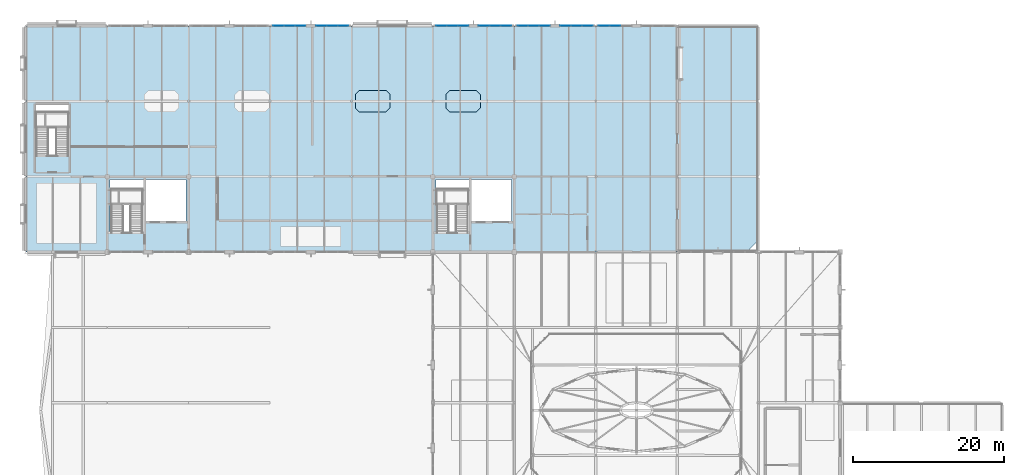
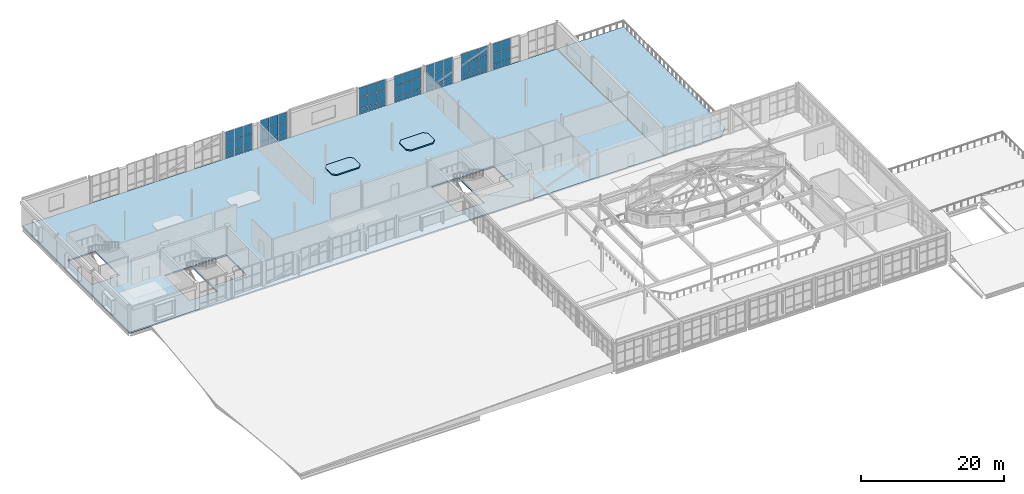
# One storey, part 64 of 86: 60 plates, 4 slabs, 7 elements without a shape of their own.
"""IFC4 building model written with IfcOpenShell, lengths in metres."""

from ifc_helpers import new_model, si_unit, direction, frame, origin, origin_2d, place, context, subcontext, project, spatial, polyline, rectangle, outline, extrude, material, layer, layer_set, type_object, element, aggregate, save


model = new_model("IFC4")

# Units and contexts
model_context = context("Model", 3, precision=1e-05, world=origin(), true_north=direction((0.0, 1.0)))
body_context = subcontext(model_context, "Body", "Model", "MODEL_VIEW")
ifc_project = project(units=[si_unit("LENGTHUNIT", "METRE"), si_unit("AREAUNIT", "SQUARE_METRE"), si_unit("VOLUMEUNIT", "CUBIC_METRE"), si_unit("PLANEANGLEUNIT", "RADIAN"), si_unit("MASSUNIT", "GRAM", prefix="KILO")], contexts=[model_context])

# Site, building, storey
site_placement = place(None, origin())
site = spatial("IfcSite", under=ifc_project, at=site_placement, CompositionType="ELEMENT")
building_placement = place(site_placement, origin())
building = spatial("IfcBuilding", under=site, at=building_placement, Name="Tasgan Crest Museum", CompositionType="ELEMENT")
storey_placement = place(building_placement, frame((0.0, 0.0, 24.0)))
storey = spatial("IfcBuildingStorey", under=building, at=storey_placement, Name="L04", CompositionType="ELEMENT", Elevation=24.0)

# Curtain wall, plates
ifc_material_1 = material(Name="Triple-Glazed Aluminium Curtain Wall", Category="aluminium")
ifc_layer_1 = layer(ifc_material_1, 0.179931640625, Name="CW-GAL-X-48")
ifc_layer_set_1 = layer_set([ifc_layer_1], Name="Triple-Glazed Aluminium Curtain Wall")
curtain_wall_type_1 = type_object("IfcCurtainWallType", Name="CW-GAL-X-48", PredefinedType="NOTDEFINED", material=ifc_layer_set_1)
curtain_wall_1_placement = place(storey_placement, origin())
curtain_wall_1 = element("IfcCurtainWall", 1, at=curtain_wall_1_placement, inside=storey, type_object=curtain_wall_type_1, Name="Curtain wall L04 160", PredefinedType="NOTDEFINED")
ifc_material_2 = material(Name="Insulated Spandrel Glass", Category="glass")
ifc_layer_2 = layer(ifc_material_2, 0.052001953125, Name="CW-PANEL-SPANDREL")
ifc_layer_set_2 = layer_set([ifc_layer_2], Name="Insulated Spandrel Glass")
plate_type_1 = type_object("IfcPlateType", Name="CW-PANEL-SPANDREL", PredefinedType="CURTAIN_PANEL", material=ifc_layer_set_2)
plate_1_placement = place(storey_placement, frame((78.159912109375, 112.0, 0.06005859375), z_axis=(0.0, 0.0, 1.0), x_axis=(-1.0, 0.0, 0.0)))
plate_1 = element("IfcPlate", 2, at=plate_1_placement, type_object=plate_type_1, Name="CW13 panel 2.1", PredefinedType="CURTAIN_PANEL", context=body_context, shape_type="SweptSolid", body=[
    extrude(rectangle(XDim=1.4033203125, YDim=0.028076171875, at=origin_2d()), origin(), (0.0, 0.0, 1.0), 0.81005859375),
])
plate_2_placement = place(storey_placement, frame((76.711669921875, 112.0, 0.06005859375), z_axis=(0.0, 0.0, 1.0), x_axis=(-1.0, 0.0, 0.0)))
plate_2 = element("IfcPlate", 3, at=plate_2_placement, type_object=plate_type_1, Name="CW13 panel 3.1", PredefinedType="CURTAIN_PANEL", context=body_context, shape_type="SweptSolid", body=[
    extrude(rectangle(XDim=1.373291015625, YDim=0.028076171875, at=origin_2d()), origin(), (0.0, 0.0, 1.0), 0.81005859375),
])

curtain_wall_2_placement = place(storey_placement, origin())
curtain_wall_2 = element("IfcCurtainWall", 4, at=curtain_wall_2_placement, inside=storey, type_object=curtain_wall_type_1, Name="Curtain wall L04 161", PredefinedType="NOTDEFINED")
plate_3_placement = place(storey_placement, frame((74.48828125, 112.0, 0.06005859375), z_axis=(0.0, 0.0, 1.0), x_axis=(-1.0, 0.0, 0.0)))
plate_3 = element("IfcPlate", 5, at=plate_3_placement, type_object=plate_type_1, Name="CW13 panel 1.1", PredefinedType="CURTAIN_PANEL", context=body_context, shape_type="SweptSolid", body=[
    extrude(rectangle(XDim=1.373291015625, YDim=0.028076171875, at=origin_2d()), origin(), (0.0, 0.0, 1.0), 0.81005859375),
])
plate_4_placement = place(storey_placement, frame((73.0400390625, 112.0, 0.06005859375), z_axis=(0.0, 0.0, 1.0), x_axis=(-1.0, 0.0, 0.0)))
plate_4 = element("IfcPlate", 6, at=plate_4_placement, type_object=plate_type_1, Name="CW13 panel 2.1", PredefinedType="CURTAIN_PANEL", context=body_context, shape_type="SweptSolid", body=[
    extrude(rectangle(XDim=1.4033203125, YDim=0.028076171875, at=origin_2d()), origin(), (0.0, 0.0, 1.0), 0.81005859375),
])
plate_5_placement = place(storey_placement, frame((71.591552734375, 112.0, 0.06005859375), z_axis=(0.0, 0.0, 1.0), x_axis=(-1.0, 0.0, 0.0)))
plate_5 = element("IfcPlate", 7, at=plate_5_placement, type_object=plate_type_1, Name="CW13 panel 3.1", PredefinedType="CURTAIN_PANEL", context=body_context, shape_type="SweptSolid", body=[
    extrude(rectangle(XDim=1.373291015625, YDim=0.028076171875, at=origin_2d()), origin(), (0.0, 0.0, 1.0), 0.81005859375),
])

curtain_wall_3_placement = place(storey_placement, origin())
curtain_wall_3 = element("IfcCurtainWall", 8, at=curtain_wall_3_placement, inside=storey, type_object=curtain_wall_type_1, Name="Curtain wall L04 162", PredefinedType="NOTDEFINED")
plate_6_placement = place(storey_placement, frame((68.808349609375, 112.0, 0.06005859375), z_axis=(0.0, 0.0, 1.0), x_axis=(-1.0, 0.0, 0.0)))
plate_6 = element("IfcPlate", 9, at=plate_6_placement, type_object=plate_type_1, Name="CW13 panel 1.1", PredefinedType="CURTAIN_PANEL", context=body_context, shape_type="SweptSolid", body=[
    extrude(rectangle(XDim=1.373291015625, YDim=0.028076171875, at=origin_2d()), origin(), (0.0, 0.0, 1.0), 0.81005859375),
])
plate_7_placement = place(storey_placement, frame((67.360107421875, 112.0, 0.06005859375), z_axis=(0.0, 0.0, 1.0), x_axis=(-1.0, 0.0, 0.0)))
plate_7 = element("IfcPlate", 10, at=plate_7_placement, type_object=plate_type_1, Name="CW13 panel 2.1", PredefinedType="CURTAIN_PANEL", context=body_context, shape_type="SweptSolid", body=[
    extrude(rectangle(XDim=1.4033203125, YDim=0.028076171875, at=origin_2d()), origin(), (0.0, 0.0, 1.0), 0.81005859375),
])
plate_8_placement = place(storey_placement, frame((65.91162109375, 112.0, 0.06005859375), z_axis=(0.0, 0.0, 1.0), x_axis=(-1.0, 0.0, 0.0)))
plate_8 = element("IfcPlate", 11, at=plate_8_placement, type_object=plate_type_1, Name="CW13 panel 3.1", PredefinedType="CURTAIN_PANEL", context=body_context, shape_type="SweptSolid", body=[
    extrude(rectangle(XDim=1.373291015625, YDim=0.028076171875, at=origin_2d()), origin(), (0.0, 0.0, 1.0), 0.81005859375),
])

ifc_material_3 = material(Name="Triple-Glazed Aluminium Curtain Wall", Category="aluminium")
ifc_layer_3 = layer(ifc_material_3, 0.179931640625, Name="CW-CORE-STRIP-48")
ifc_layer_set_3 = layer_set([ifc_layer_3], Name="Triple-Glazed Aluminium Curtain Wall")
curtain_wall_type_2 = type_object("IfcCurtainWallType", Name="CW-CORE-STRIP-48", PredefinedType="NOTDEFINED", material=ifc_layer_set_3)
curtain_wall_4_placement = place(storey_placement, origin())
curtain_wall_4 = element("IfcCurtainWall", 12, at=curtain_wall_4_placement, inside=storey, type_object=curtain_wall_type_2, Name="Curtain wall L04 163", PredefinedType="NOTDEFINED")
plate_9_placement = place(storey_placement, frame((63.688232421875, 112.0, 0.06005859375), z_axis=(0.0, 0.0, 1.0), x_axis=(-1.0, 0.0, 0.0)))
plate_9 = element("IfcPlate", 13, at=plate_9_placement, type_object=plate_type_1, Name="CW19 panel 1.1", PredefinedType="CURTAIN_PANEL", context=body_context, shape_type="SweptSolid", body=[
    extrude(rectangle(XDim=1.373291015625, YDim=0.028076171875, at=origin_2d()), origin(), (0.0, 0.0, 1.0), 0.81005859375),
])
plate_10_placement = place(storey_placement, frame((62.239990234375, 112.0, 0.06005859375), z_axis=(0.0, 0.0, 1.0), x_axis=(-1.0, 0.0, 0.0)))
plate_10 = element("IfcPlate", 14, at=plate_10_placement, type_object=plate_type_1, Name="CW19 panel 2.1", PredefinedType="CURTAIN_PANEL", context=body_context, shape_type="SweptSolid", body=[
    extrude(rectangle(XDim=1.4033203125, YDim=0.028076171875, at=origin_2d()), origin(), (0.0, 0.0, 1.0), 0.81005859375),
])
plate_11_placement = place(storey_placement, frame((60.791748046875, 112.0, 0.06005859375), z_axis=(0.0, 0.0, 1.0), x_axis=(-1.0, 0.0, 0.0)))
plate_11 = element("IfcPlate", 15, at=plate_11_placement, type_object=plate_type_1, Name="CW19 panel 3.1", PredefinedType="CURTAIN_PANEL", context=body_context, shape_type="SweptSolid", body=[
    extrude(rectangle(XDim=1.373291015625, YDim=0.028076171875, at=origin_2d()), origin(), (0.0, 0.0, 1.0), 0.81005859375),
])

curtain_wall_5_placement = place(storey_placement, origin())
curtain_wall_5 = element("IfcCurtainWall", 16, at=curtain_wall_5_placement, inside=storey, type_object=curtain_wall_type_2, Name="Curtain wall L04 164", PredefinedType="NOTDEFINED")
plate_12_placement = place(storey_placement, frame((58.00830078125, 112.0, 0.06005859375), z_axis=(0.0, 0.0, 1.0), x_axis=(-1.0, 0.0, 0.0)))
plate_12 = element("IfcPlate", 17, at=plate_12_placement, type_object=plate_type_1, Name="CW19 panel 1.1", PredefinedType="CURTAIN_PANEL", context=body_context, shape_type="SweptSolid", body=[
    extrude(rectangle(XDim=1.373291015625, YDim=0.028076171875, at=origin_2d()), origin(), (0.0, 0.0, 1.0), 0.81005859375),
])
plate_13_placement = place(storey_placement, frame((56.56005859375, 112.0, 0.06005859375), z_axis=(0.0, 0.0, 1.0), x_axis=(-1.0, 0.0, 0.0)))
plate_13 = element("IfcPlate", 18, at=plate_13_placement, type_object=plate_type_1, Name="CW19 panel 2.1", PredefinedType="CURTAIN_PANEL", context=body_context, shape_type="SweptSolid", body=[
    extrude(rectangle(XDim=1.4033203125, YDim=0.028076171875, at=origin_2d()), origin(), (0.0, 0.0, 1.0), 0.81005859375),
])
plate_14_placement = place(storey_placement, frame((55.111572265625, 112.0, 0.06005859375), z_axis=(0.0, 0.0, 1.0), x_axis=(-1.0, 0.0, 0.0)))
plate_14 = element("IfcPlate", 19, at=plate_14_placement, type_object=plate_type_1, Name="CW19 panel 3.1", PredefinedType="CURTAIN_PANEL", context=body_context, shape_type="SweptSolid", body=[
    extrude(rectangle(XDim=1.373291015625, YDim=0.028076171875, at=origin_2d()), origin(), (0.0, 0.0, 1.0), 0.81005859375),
])

curtain_wall_6_placement = place(storey_placement, origin())
curtain_wall_6 = element("IfcCurtainWall", 20, at=curtain_wall_6_placement, inside=storey, type_object=curtain_wall_type_1, Name="Curtain wall L04 165", PredefinedType="NOTDEFINED")
plate_15_placement = place(storey_placement, frame((42.08837890625, 112.0, 0.06005859375), z_axis=(0.0, 0.0, 1.0), x_axis=(-1.0, 0.0, 0.0)))
plate_15 = element("IfcPlate", 21, at=plate_15_placement, type_object=plate_type_1, Name="CW13 panel 1.1", PredefinedType="CURTAIN_PANEL", context=body_context, shape_type="SweptSolid", body=[
    extrude(rectangle(XDim=1.373291015625, YDim=0.028076171875, at=origin_2d()), origin(), (0.0, 0.0, 1.0), 0.81005859375),
])
plate_16_placement = place(storey_placement, frame((40.639892578125, 112.0, 0.06005859375), z_axis=(0.0, 0.0, 1.0), x_axis=(-1.0, 0.0, 0.0)))
plate_16 = element("IfcPlate", 22, at=plate_16_placement, type_object=plate_type_1, Name="CW13 panel 2.1", PredefinedType="CURTAIN_PANEL", context=body_context, shape_type="SweptSolid", body=[
    extrude(rectangle(XDim=1.4033203125, YDim=0.028076171875, at=origin_2d()), origin(), (0.0, 0.0, 1.0), 0.81005859375),
])
plate_17_placement = place(storey_placement, frame((39.191650390625, 112.0, 0.06005859375), z_axis=(0.0, 0.0, 1.0), x_axis=(-1.0, 0.0, 0.0)))
plate_17 = element("IfcPlate", 23, at=plate_17_placement, type_object=plate_type_1, Name="CW13 panel 3.1", PredefinedType="CURTAIN_PANEL", context=body_context, shape_type="SweptSolid", body=[
    extrude(rectangle(XDim=1.373291015625, YDim=0.028076171875, at=origin_2d()), origin(), (0.0, 0.0, 1.0), 0.81005859375),
])

curtain_wall_7_placement = place(storey_placement, origin())
curtain_wall_7 = element("IfcCurtainWall", 24, at=curtain_wall_7_placement, inside=storey, type_object=curtain_wall_type_1, Name="Curtain wall L04 166", PredefinedType="NOTDEFINED")
plate_18_placement = place(storey_placement, frame((36.408447265625, 112.0, 0.06005859375), z_axis=(0.0, 0.0, 1.0), x_axis=(-1.0, 0.0, 0.0)))
plate_18 = element("IfcPlate", 25, at=plate_18_placement, type_object=plate_type_1, Name="CW13 panel 1.1", PredefinedType="CURTAIN_PANEL", context=body_context, shape_type="SweptSolid", body=[
    extrude(rectangle(XDim=1.373291015625, YDim=0.028076171875, at=origin_2d()), origin(), (0.0, 0.0, 1.0), 0.81005859375),
])
plate_19_placement = place(storey_placement, frame((34.9599609375, 112.0, 0.06005859375), z_axis=(0.0, 0.0, 1.0), x_axis=(-1.0, 0.0, 0.0)))
plate_19 = element("IfcPlate", 26, at=plate_19_placement, type_object=plate_type_1, Name="CW13 panel 2.1", PredefinedType="CURTAIN_PANEL", context=body_context, shape_type="SweptSolid", body=[
    extrude(rectangle(XDim=1.4033203125, YDim=0.028076171875, at=origin_2d()), origin(), (0.0, 0.0, 1.0), 0.81005859375),
])
plate_20_placement = place(storey_placement, frame((33.51171875, 112.0, 0.06005859375), z_axis=(0.0, 0.0, 1.0), x_axis=(-1.0, 0.0, 0.0)))
plate_20 = element("IfcPlate", 27, at=plate_20_placement, type_object=plate_type_1, Name="CW13 panel 3.1", PredefinedType="CURTAIN_PANEL", context=body_context, shape_type="SweptSolid", body=[
    extrude(rectangle(XDim=1.373291015625, YDim=0.028076171875, at=origin_2d()), origin(), (0.0, 0.0, 1.0), 0.81005859375),
])

# Plate
ifc_material_4 = material(Name="Low-E Triple Glazing", Category="glass")
ifc_layer_4 = layer(ifc_material_4, 0.0439453125, Name="CW-PANEL-TRIPLE")
ifc_layer_set_4 = layer_set([ifc_layer_4], Name="Low-E Triple Glazing")
plate_type_2 = type_object("IfcPlateType", Name="CW-PANEL-TRIPLE", PredefinedType="CURTAIN_PANEL", material=ifc_layer_set_4)
plate_21_placement = place(storey_placement, frame((78.159912109375, 112.0, 0.93017578125), z_axis=(0.0, 0.0, 1.0), x_axis=(-1.0, 0.0, 0.0)))
plate_21 = element("IfcPlate", 28, at=plate_21_placement, type_object=plate_type_2, Name="CW13 panel 2.2", PredefinedType="CURTAIN_PANEL", context=body_context, shape_type="SweptSolid", body=[
    extrude(rectangle(XDim=1.4033203125, YDim=0.028076171875, at=origin_2d()), origin(), (0.0, 0.0, 1.0), 1.840087890625),
])

plate_22_placement = place(storey_placement, frame((78.159912109375, 112.0, 2.830078125), z_axis=(0.0, 0.0, 1.0), x_axis=(-1.0, 0.0, 0.0)))
plate_22 = element("IfcPlate", 29, at=plate_22_placement, type_object=plate_type_2, Name="CW13 panel 2.3", PredefinedType="CURTAIN_PANEL", context=body_context, shape_type="SweptSolid", body=[
    extrude(rectangle(XDim=1.4033203125, YDim=0.028076171875, at=origin_2d()), origin(), (0.0, 0.0, 1.0), 1.669921875),
])

plate_23_placement = place(storey_placement, frame((76.711669921875, 112.0, 0.93017578125), z_axis=(0.0, 0.0, 1.0), x_axis=(-1.0, 0.0, 0.0)))
plate_23 = element("IfcPlate", 30, at=plate_23_placement, type_object=plate_type_2, Name="CW13 panel 3.2", PredefinedType="CURTAIN_PANEL", context=body_context, shape_type="SweptSolid", body=[
    extrude(rectangle(XDim=1.373291015625, YDim=0.028076171875, at=origin_2d()), origin(), (0.0, 0.0, 1.0), 1.840087890625),
])

plate_24_placement = place(storey_placement, frame((76.711669921875, 112.0, 2.830078125), z_axis=(0.0, 0.0, 1.0), x_axis=(-1.0, 0.0, 0.0)))
plate_24 = element("IfcPlate", 31, at=plate_24_placement, type_object=plate_type_2, Name="CW13 panel 3.3", PredefinedType="CURTAIN_PANEL", context=body_context, shape_type="SweptSolid", body=[
    extrude(rectangle(XDim=1.373291015625, YDim=0.028076171875, at=origin_2d()), origin(), (0.0, 0.0, 1.0), 1.669921875),
])

aggregate(curtain_wall_1, [plate_1, plate_21, plate_22, plate_2, plate_23, plate_24])

plate_25_placement = place(storey_placement, frame((74.48828125, 112.0, 0.93017578125), z_axis=(0.0, 0.0, 1.0), x_axis=(-1.0, 0.0, 0.0)))
plate_25 = element("IfcPlate", 32, at=plate_25_placement, type_object=plate_type_2, Name="CW13 panel 1.2", PredefinedType="CURTAIN_PANEL", context=body_context, shape_type="SweptSolid", body=[
    extrude(rectangle(XDim=1.373291015625, YDim=0.028076171875, at=origin_2d()), origin(), (0.0, 0.0, 1.0), 1.840087890625),
])

plate_26_placement = place(storey_placement, frame((74.48828125, 112.0, 2.830078125), z_axis=(0.0, 0.0, 1.0), x_axis=(-1.0, 0.0, 0.0)))
plate_26 = element("IfcPlate", 33, at=plate_26_placement, type_object=plate_type_2, Name="CW13 panel 1.3", PredefinedType="CURTAIN_PANEL", context=body_context, shape_type="SweptSolid", body=[
    extrude(rectangle(XDim=1.373291015625, YDim=0.028076171875, at=origin_2d()), origin(), (0.0, 0.0, 1.0), 1.669921875),
])

plate_27_placement = place(storey_placement, frame((73.0400390625, 112.0, 0.93017578125), z_axis=(0.0, 0.0, 1.0), x_axis=(-1.0, 0.0, 0.0)))
plate_27 = element("IfcPlate", 34, at=plate_27_placement, type_object=plate_type_2, Name="CW13 panel 2.2", PredefinedType="CURTAIN_PANEL", context=body_context, shape_type="SweptSolid", body=[
    extrude(rectangle(XDim=1.4033203125, YDim=0.028076171875, at=origin_2d()), origin(), (0.0, 0.0, 1.0), 1.840087890625),
])

plate_28_placement = place(storey_placement, frame((73.0400390625, 112.0, 2.830078125), z_axis=(0.0, 0.0, 1.0), x_axis=(-1.0, 0.0, 0.0)))
plate_28 = element("IfcPlate", 35, at=plate_28_placement, type_object=plate_type_2, Name="CW13 panel 2.3", PredefinedType="CURTAIN_PANEL", context=body_context, shape_type="SweptSolid", body=[
    extrude(rectangle(XDim=1.4033203125, YDim=0.028076171875, at=origin_2d()), origin(), (0.0, 0.0, 1.0), 1.669921875),
])

plate_29_placement = place(storey_placement, frame((71.591552734375, 112.0, 0.93017578125), z_axis=(0.0, 0.0, 1.0), x_axis=(-1.0, 0.0, 0.0)))
plate_29 = element("IfcPlate", 36, at=plate_29_placement, type_object=plate_type_2, Name="CW13 panel 3.2", PredefinedType="CURTAIN_PANEL", context=body_context, shape_type="SweptSolid", body=[
    extrude(rectangle(XDim=1.373291015625, YDim=0.028076171875, at=origin_2d()), origin(), (0.0, 0.0, 1.0), 1.840087890625),
])

plate_30_placement = place(storey_placement, frame((71.591552734375, 112.0, 2.830078125), z_axis=(0.0, 0.0, 1.0), x_axis=(-1.0, 0.0, 0.0)))
plate_30 = element("IfcPlate", 37, at=plate_30_placement, type_object=plate_type_2, Name="CW13 panel 3.3", PredefinedType="CURTAIN_PANEL", context=body_context, shape_type="SweptSolid", body=[
    extrude(rectangle(XDim=1.373291015625, YDim=0.028076171875, at=origin_2d()), origin(), (0.0, 0.0, 1.0), 1.669921875),
])

aggregate(curtain_wall_2, [plate_3, plate_25, plate_26, plate_4, plate_27, plate_28, plate_5, plate_29, plate_30])

plate_31_placement = place(storey_placement, frame((68.808349609375, 112.0, 0.93017578125), z_axis=(0.0, 0.0, 1.0), x_axis=(-1.0, 0.0, 0.0)))
plate_31 = element("IfcPlate", 38, at=plate_31_placement, type_object=plate_type_2, Name="CW13 panel 1.2", PredefinedType="CURTAIN_PANEL", context=body_context, shape_type="SweptSolid", body=[
    extrude(rectangle(XDim=1.373291015625, YDim=0.028076171875, at=origin_2d()), origin(), (0.0, 0.0, 1.0), 1.840087890625),
])

plate_32_placement = place(storey_placement, frame((68.808349609375, 112.0, 2.830078125), z_axis=(0.0, 0.0, 1.0), x_axis=(-1.0, 0.0, 0.0)))
plate_32 = element("IfcPlate", 39, at=plate_32_placement, type_object=plate_type_2, Name="CW13 panel 1.3", PredefinedType="CURTAIN_PANEL", context=body_context, shape_type="SweptSolid", body=[
    extrude(rectangle(XDim=1.373291015625, YDim=0.028076171875, at=origin_2d()), origin(), (0.0, 0.0, 1.0), 1.669921875),
])

plate_33_placement = place(storey_placement, frame((67.360107421875, 112.0, 0.93017578125), z_axis=(0.0, 0.0, 1.0), x_axis=(-1.0, 0.0, 0.0)))
plate_33 = element("IfcPlate", 40, at=plate_33_placement, type_object=plate_type_2, Name="CW13 panel 2.2", PredefinedType="CURTAIN_PANEL", context=body_context, shape_type="SweptSolid", body=[
    extrude(rectangle(XDim=1.4033203125, YDim=0.028076171875, at=origin_2d()), origin(), (0.0, 0.0, 1.0), 1.840087890625),
])

plate_34_placement = place(storey_placement, frame((67.360107421875, 112.0, 2.830078125), z_axis=(0.0, 0.0, 1.0), x_axis=(-1.0, 0.0, 0.0)))
plate_34 = element("IfcPlate", 41, at=plate_34_placement, type_object=plate_type_2, Name="CW13 panel 2.3", PredefinedType="CURTAIN_PANEL", context=body_context, shape_type="SweptSolid", body=[
    extrude(rectangle(XDim=1.4033203125, YDim=0.028076171875, at=origin_2d()), origin(), (0.0, 0.0, 1.0), 1.669921875),
])

plate_35_placement = place(storey_placement, frame((65.91162109375, 112.0, 0.93017578125), z_axis=(0.0, 0.0, 1.0), x_axis=(-1.0, 0.0, 0.0)))
plate_35 = element("IfcPlate", 42, at=plate_35_placement, type_object=plate_type_2, Name="CW13 panel 3.2", PredefinedType="CURTAIN_PANEL", context=body_context, shape_type="SweptSolid", body=[
    extrude(rectangle(XDim=1.373291015625, YDim=0.028076171875, at=origin_2d()), origin(), (0.0, 0.0, 1.0), 1.840087890625),
])

plate_36_placement = place(storey_placement, frame((65.91162109375, 112.0, 2.830078125), z_axis=(0.0, 0.0, 1.0), x_axis=(-1.0, 0.0, 0.0)))
plate_36 = element("IfcPlate", 43, at=plate_36_placement, type_object=plate_type_2, Name="CW13 panel 3.3", PredefinedType="CURTAIN_PANEL", context=body_context, shape_type="SweptSolid", body=[
    extrude(rectangle(XDim=1.373291015625, YDim=0.028076171875, at=origin_2d()), origin(), (0.0, 0.0, 1.0), 1.669921875),
])

aggregate(curtain_wall_3, [plate_6, plate_31, plate_32, plate_7, plate_33, plate_34, plate_8, plate_35, plate_36])

plate_37_placement = place(storey_placement, frame((63.688232421875, 112.0, 0.93017578125), z_axis=(0.0, 0.0, 1.0), x_axis=(-1.0, 0.0, 0.0)))
plate_37 = element("IfcPlate", 44, at=plate_37_placement, type_object=plate_type_2, Name="CW19 panel 1.2", PredefinedType="CURTAIN_PANEL", context=body_context, shape_type="SweptSolid", body=[
    extrude(rectangle(XDim=1.373291015625, YDim=0.028076171875, at=origin_2d()), origin(), (0.0, 0.0, 1.0), 1.840087890625),
])

plate_38_placement = place(storey_placement, frame((63.688232421875, 112.0, 2.830078125), z_axis=(0.0, 0.0, 1.0), x_axis=(-1.0, 0.0, 0.0)))
plate_38 = element("IfcPlate", 45, at=plate_38_placement, type_object=plate_type_2, Name="CW19 panel 1.3", PredefinedType="CURTAIN_PANEL", context=body_context, shape_type="SweptSolid", body=[
    extrude(rectangle(XDim=1.373291015625, YDim=0.028076171875, at=origin_2d()), origin(), (0.0, 0.0, 1.0), 1.669921875),
])

plate_39_placement = place(storey_placement, frame((62.239990234375, 112.0, 0.93017578125), z_axis=(0.0, 0.0, 1.0), x_axis=(-1.0, 0.0, 0.0)))
plate_39 = element("IfcPlate", 46, at=plate_39_placement, type_object=plate_type_2, Name="CW19 panel 2.2", PredefinedType="CURTAIN_PANEL", context=body_context, shape_type="SweptSolid", body=[
    extrude(rectangle(XDim=1.4033203125, YDim=0.028076171875, at=origin_2d()), origin(), (0.0, 0.0, 1.0), 1.840087890625),
])

plate_40_placement = place(storey_placement, frame((62.239990234375, 112.0, 2.830078125), z_axis=(0.0, 0.0, 1.0), x_axis=(-1.0, 0.0, 0.0)))
plate_40 = element("IfcPlate", 47, at=plate_40_placement, type_object=plate_type_2, Name="CW19 panel 2.3", PredefinedType="CURTAIN_PANEL", context=body_context, shape_type="SweptSolid", body=[
    extrude(rectangle(XDim=1.4033203125, YDim=0.028076171875, at=origin_2d()), origin(), (0.0, 0.0, 1.0), 1.669921875),
])

plate_41_placement = place(storey_placement, frame((60.791748046875, 112.0, 0.93017578125), z_axis=(0.0, 0.0, 1.0), x_axis=(-1.0, 0.0, 0.0)))
plate_41 = element("IfcPlate", 48, at=plate_41_placement, type_object=plate_type_2, Name="CW19 panel 3.2", PredefinedType="CURTAIN_PANEL", context=body_context, shape_type="SweptSolid", body=[
    extrude(rectangle(XDim=1.373291015625, YDim=0.028076171875, at=origin_2d()), origin(), (0.0, 0.0, 1.0), 1.840087890625),
])

plate_42_placement = place(storey_placement, frame((60.791748046875, 112.0, 2.830078125), z_axis=(0.0, 0.0, 1.0), x_axis=(-1.0, 0.0, 0.0)))
plate_42 = element("IfcPlate", 49, at=plate_42_placement, type_object=plate_type_2, Name="CW19 panel 3.3", PredefinedType="CURTAIN_PANEL", context=body_context, shape_type="SweptSolid", body=[
    extrude(rectangle(XDim=1.373291015625, YDim=0.028076171875, at=origin_2d()), origin(), (0.0, 0.0, 1.0), 1.669921875),
])

aggregate(curtain_wall_4, [plate_9, plate_37, plate_38, plate_10, plate_39, plate_40, plate_11, plate_41, plate_42])

plate_43_placement = place(storey_placement, frame((58.00830078125, 112.0, 0.93017578125), z_axis=(0.0, 0.0, 1.0), x_axis=(-1.0, 0.0, 0.0)))
plate_43 = element("IfcPlate", 50, at=plate_43_placement, type_object=plate_type_2, Name="CW19 panel 1.2", PredefinedType="CURTAIN_PANEL", context=body_context, shape_type="SweptSolid", body=[
    extrude(rectangle(XDim=1.373291015625, YDim=0.028076171875, at=origin_2d()), origin(), (0.0, 0.0, 1.0), 1.840087890625),
])

plate_44_placement = place(storey_placement, frame((58.00830078125, 112.0, 2.830078125), z_axis=(0.0, 0.0, 1.0), x_axis=(-1.0, 0.0, 0.0)))
plate_44 = element("IfcPlate", 51, at=plate_44_placement, type_object=plate_type_2, Name="CW19 panel 1.3", PredefinedType="CURTAIN_PANEL", context=body_context, shape_type="SweptSolid", body=[
    extrude(rectangle(XDim=1.373291015625, YDim=0.028076171875, at=origin_2d()), origin(), (0.0, 0.0, 1.0), 1.669921875),
])

plate_45_placement = place(storey_placement, frame((56.56005859375, 112.0, 0.93017578125), z_axis=(0.0, 0.0, 1.0), x_axis=(-1.0, 0.0, 0.0)))
plate_45 = element("IfcPlate", 52, at=plate_45_placement, type_object=plate_type_2, Name="CW19 panel 2.2", PredefinedType="CURTAIN_PANEL", context=body_context, shape_type="SweptSolid", body=[
    extrude(rectangle(XDim=1.4033203125, YDim=0.028076171875, at=origin_2d()), origin(), (0.0, 0.0, 1.0), 1.840087890625),
])

plate_46_placement = place(storey_placement, frame((56.56005859375, 112.0, 2.830078125), z_axis=(0.0, 0.0, 1.0), x_axis=(-1.0, 0.0, 0.0)))
plate_46 = element("IfcPlate", 53, at=plate_46_placement, type_object=plate_type_2, Name="CW19 panel 2.3", PredefinedType="CURTAIN_PANEL", context=body_context, shape_type="SweptSolid", body=[
    extrude(rectangle(XDim=1.4033203125, YDim=0.028076171875, at=origin_2d()), origin(), (0.0, 0.0, 1.0), 1.669921875),
])

plate_47_placement = place(storey_placement, frame((55.111572265625, 112.0, 0.93017578125), z_axis=(0.0, 0.0, 1.0), x_axis=(-1.0, 0.0, 0.0)))
plate_47 = element("IfcPlate", 54, at=plate_47_placement, type_object=plate_type_2, Name="CW19 panel 3.2", PredefinedType="CURTAIN_PANEL", context=body_context, shape_type="SweptSolid", body=[
    extrude(rectangle(XDim=1.373291015625, YDim=0.028076171875, at=origin_2d()), origin(), (0.0, 0.0, 1.0), 1.840087890625),
])

plate_48_placement = place(storey_placement, frame((55.111572265625, 112.0, 2.830078125), z_axis=(0.0, 0.0, 1.0), x_axis=(-1.0, 0.0, 0.0)))
plate_48 = element("IfcPlate", 55, at=plate_48_placement, type_object=plate_type_2, Name="CW19 panel 3.3", PredefinedType="CURTAIN_PANEL", context=body_context, shape_type="SweptSolid", body=[
    extrude(rectangle(XDim=1.373291015625, YDim=0.028076171875, at=origin_2d()), origin(), (0.0, 0.0, 1.0), 1.669921875),
])

aggregate(curtain_wall_5, [plate_12, plate_43, plate_44, plate_13, plate_45, plate_46, plate_14, plate_47, plate_48])

plate_49_placement = place(storey_placement, frame((42.08837890625, 112.0, 0.93017578125), z_axis=(0.0, 0.0, 1.0), x_axis=(-1.0, 0.0, 0.0)))
plate_49 = element("IfcPlate", 56, at=plate_49_placement, type_object=plate_type_2, Name="CW13 panel 1.2", PredefinedType="CURTAIN_PANEL", context=body_context, shape_type="SweptSolid", body=[
    extrude(rectangle(XDim=1.373291015625, YDim=0.028076171875, at=origin_2d()), origin(), (0.0, 0.0, 1.0), 1.840087890625),
])

plate_50_placement = place(storey_placement, frame((42.08837890625, 112.0, 2.830078125), z_axis=(0.0, 0.0, 1.0), x_axis=(-1.0, 0.0, 0.0)))
plate_50 = element("IfcPlate", 57, at=plate_50_placement, type_object=plate_type_2, Name="CW13 panel 1.3", PredefinedType="CURTAIN_PANEL", context=body_context, shape_type="SweptSolid", body=[
    extrude(rectangle(XDim=1.373291015625, YDim=0.028076171875, at=origin_2d()), origin(), (0.0, 0.0, 1.0), 1.669921875),
])

plate_51_placement = place(storey_placement, frame((40.639892578125, 112.0, 0.93017578125), z_axis=(0.0, 0.0, 1.0), x_axis=(-1.0, 0.0, 0.0)))
plate_51 = element("IfcPlate", 58, at=plate_51_placement, type_object=plate_type_2, Name="CW13 panel 2.2", PredefinedType="CURTAIN_PANEL", context=body_context, shape_type="SweptSolid", body=[
    extrude(rectangle(XDim=1.4033203125, YDim=0.028076171875, at=origin_2d()), origin(), (0.0, 0.0, 1.0), 1.840087890625),
])

plate_52_placement = place(storey_placement, frame((40.639892578125, 112.0, 2.830078125), z_axis=(0.0, 0.0, 1.0), x_axis=(-1.0, 0.0, 0.0)))
plate_52 = element("IfcPlate", 59, at=plate_52_placement, type_object=plate_type_2, Name="CW13 panel 2.3", PredefinedType="CURTAIN_PANEL", context=body_context, shape_type="SweptSolid", body=[
    extrude(rectangle(XDim=1.4033203125, YDim=0.028076171875, at=origin_2d()), origin(), (0.0, 0.0, 1.0), 1.669921875),
])

plate_53_placement = place(storey_placement, frame((39.191650390625, 112.0, 0.93017578125), z_axis=(0.0, 0.0, 1.0), x_axis=(-1.0, 0.0, 0.0)))
plate_53 = element("IfcPlate", 60, at=plate_53_placement, type_object=plate_type_2, Name="CW13 panel 3.2", PredefinedType="CURTAIN_PANEL", context=body_context, shape_type="SweptSolid", body=[
    extrude(rectangle(XDim=1.373291015625, YDim=0.028076171875, at=origin_2d()), origin(), (0.0, 0.0, 1.0), 1.840087890625),
])

plate_54_placement = place(storey_placement, frame((39.191650390625, 112.0, 2.830078125), z_axis=(0.0, 0.0, 1.0), x_axis=(-1.0, 0.0, 0.0)))
plate_54 = element("IfcPlate", 61, at=plate_54_placement, type_object=plate_type_2, Name="CW13 panel 3.3", PredefinedType="CURTAIN_PANEL", context=body_context, shape_type="SweptSolid", body=[
    extrude(rectangle(XDim=1.373291015625, YDim=0.028076171875, at=origin_2d()), origin(), (0.0, 0.0, 1.0), 1.669921875),
])

aggregate(curtain_wall_6, [plate_15, plate_49, plate_50, plate_16, plate_51, plate_52, plate_17, plate_53, plate_54])

plate_55_placement = place(storey_placement, frame((36.408447265625, 112.0, 0.93017578125), z_axis=(0.0, 0.0, 1.0), x_axis=(-1.0, 0.0, 0.0)))
plate_55 = element("IfcPlate", 62, at=plate_55_placement, type_object=plate_type_2, Name="CW13 panel 1.2", PredefinedType="CURTAIN_PANEL", context=body_context, shape_type="SweptSolid", body=[
    extrude(rectangle(XDim=1.373291015625, YDim=0.028076171875, at=origin_2d()), origin(), (0.0, 0.0, 1.0), 1.840087890625),
])

plate_56_placement = place(storey_placement, frame((36.408447265625, 112.0, 2.830078125), z_axis=(0.0, 0.0, 1.0), x_axis=(-1.0, 0.0, 0.0)))
plate_56 = element("IfcPlate", 63, at=plate_56_placement, type_object=plate_type_2, Name="CW13 panel 1.3", PredefinedType="CURTAIN_PANEL", context=body_context, shape_type="SweptSolid", body=[
    extrude(rectangle(XDim=1.373291015625, YDim=0.028076171875, at=origin_2d()), origin(), (0.0, 0.0, 1.0), 1.669921875),
])

plate_57_placement = place(storey_placement, frame((34.9599609375, 112.0, 0.93017578125), z_axis=(0.0, 0.0, 1.0), x_axis=(-1.0, 0.0, 0.0)))
plate_57 = element("IfcPlate", 64, at=plate_57_placement, type_object=plate_type_2, Name="CW13 panel 2.2", PredefinedType="CURTAIN_PANEL", context=body_context, shape_type="SweptSolid", body=[
    extrude(rectangle(XDim=1.4033203125, YDim=0.028076171875, at=origin_2d()), origin(), (0.0, 0.0, 1.0), 1.840087890625),
])

plate_58_placement = place(storey_placement, frame((34.9599609375, 112.0, 2.830078125), z_axis=(0.0, 0.0, 1.0), x_axis=(-1.0, 0.0, 0.0)))
plate_58 = element("IfcPlate", 65, at=plate_58_placement, type_object=plate_type_2, Name="CW13 panel 2.3", PredefinedType="CURTAIN_PANEL", context=body_context, shape_type="SweptSolid", body=[
    extrude(rectangle(XDim=1.4033203125, YDim=0.028076171875, at=origin_2d()), origin(), (0.0, 0.0, 1.0), 1.669921875),
])

plate_59_placement = place(storey_placement, frame((33.51171875, 112.0, 0.93017578125), z_axis=(0.0, 0.0, 1.0), x_axis=(-1.0, 0.0, 0.0)))
plate_59 = element("IfcPlate", 66, at=plate_59_placement, type_object=plate_type_2, Name="CW13 panel 3.2", PredefinedType="CURTAIN_PANEL", context=body_context, shape_type="SweptSolid", body=[
    extrude(rectangle(XDim=1.373291015625, YDim=0.028076171875, at=origin_2d()), origin(), (0.0, 0.0, 1.0), 1.840087890625),
])

plate_60_placement = place(storey_placement, frame((33.51171875, 112.0, 2.830078125), z_axis=(0.0, 0.0, 1.0), x_axis=(-1.0, 0.0, 0.0)))
plate_60 = element("IfcPlate", 67, at=plate_60_placement, type_object=plate_type_2, Name="CW13 panel 3.3", PredefinedType="CURTAIN_PANEL", context=body_context, shape_type="SweptSolid", body=[
    extrude(rectangle(XDim=1.373291015625, YDim=0.028076171875, at=origin_2d()), origin(), (0.0, 0.0, 1.0), 1.669921875),
])

aggregate(curtain_wall_7, [plate_18, plate_55, plate_56, plate_19, plate_57, plate_58, plate_20, plate_59, plate_60])

# Slabs
ifc_material_5 = material(Name="Concrete C35/45", Category="concrete")
ifc_layer_5 = layer(ifc_material_5, 0.18994140625, Name="SL-DAIS-T05")
ifc_layer_set_5 = layer_set([ifc_layer_5], Name="Concrete C35/45")
slab_type_1 = type_object("IfcSlabType", Name="SL-DAIS-T05", PredefinedType="FLOOR", material=ifc_layer_set_5)
slab_1_placement = place(storey_placement, origin())
element("IfcSlab", 68, at=slab_1_placement, inside=storey, type_object=slab_type_1, Name="Exhibition specimen dais L04-35", PredefinedType="FLOOR", context=body_context, shape_type="SweptSolid", body=[
    extrude(outline(polyline([(44.199951171875, 100.60009765625), (47.800048828125, 100.60009765625), (48.300048828125, 101.10009765625), (48.300048828125, 102.89990234375), (47.800048828125, 103.39990234375), (44.199951171875, 103.39990234375), (43.699951171875, 102.89990234375), (43.699951171875, 101.10009765625), (44.199951171875, 100.60009765625)])), origin(), (0.0, 0.0, 1.0), 0.18994140625),
])
ifc_material_6 = material(Name="Concrete C35/45", Category="concrete")
ifc_layer_6 = layer(ifc_material_6, 0.2099609375, Name="SL-DAIS-T06")
ifc_layer_set_6 = layer_set([ifc_layer_6], Name="Concrete C35/45")
slab_type_2 = type_object("IfcSlabType", Name="SL-DAIS-T06", PredefinedType="FLOOR", material=ifc_layer_set_6)
slab_2_placement = place(storey_placement, origin())
element("IfcSlab", 69, at=slab_2_placement, inside=storey, type_object=slab_type_2, Name="Exhibition specimen dais L04-36", PredefinedType="FLOOR", context=body_context, shape_type="SweptSolid", body=[
    extrude(outline(polyline([(56.199951171875, 100.60009765625), (59.800048828125, 100.60009765625), (60.300048828125, 101.10009765625), (60.300048828125, 102.89990234375), (59.800048828125, 103.39990234375), (56.199951171875, 103.39990234375), (55.699951171875, 102.89990234375), (55.699951171875, 101.10009765625), (56.199951171875, 100.60009765625)])), origin(), (0.0, 0.0, 1.0), 0.2099609375),
])
ifc_material_7 = material(Name="Concrete C35/45", Category="concrete")
ifc_layer_7 = layer(ifc_material_7, 0.239990234375, Name="SL-FLR-240")
ifc_layer_set_7 = layer_set([ifc_layer_7], Name="Concrete C35/45")
slab_type_3 = type_object("IfcSlabType", Name="SL-FLR-240", PredefinedType="FLOOR", material=ifc_layer_set_7)
slab_3_placement = place(storey_placement, frame((0.0, 0.0, -0.239990234375)))
element("IfcSlab", 70, at=slab_3_placement, inside=storey, type_object=slab_type_3, Name="Floor slab L04 V5", PredefinedType="FLOOR", context=body_context, shape_type="SweptSolid", body=[
    extrude(outline(polyline([(0.0, 82.0), (86.39990234375, 82.0), (86.39990234375, 112.0), (0.0, 112.0), (0.0, 82.0)]), holes=[polyline([(11.179931640625, 84.550048828125), (15.60009765625, 84.550048828125), (15.60009765625, 91.6201171875), (11.179931640625, 91.6201171875), (11.179931640625, 84.550048828125)]), polyline([(15.85009765625, 86.0), (21.219970703125, 86.0), (21.219970703125, 91.6201171875), (15.85009765625, 91.6201171875), (15.85009765625, 86.0)]), polyline([(54.3798828125, 84.550048828125), (58.800048828125, 84.550048828125), (58.800048828125, 91.6201171875), (54.3798828125, 91.6201171875), (54.3798828125, 84.550048828125)]), polyline([(59.050048828125, 86.0), (64.419921875, 86.0), (64.419921875, 91.6201171875), (59.050048828125, 91.6201171875), (59.050048828125, 86.0)]), polyline([(1.25, 94.75), (5.75, 94.75), (5.75, 101.550048828125), (1.25, 101.550048828125), (1.25, 94.75)])]), origin(), (0.0, 0.0, 1.0), 0.239990234375),
])
ifc_material_8 = material(Name="Concrete C35/45", Category="concrete")
ifc_layer_8 = layer(ifc_material_8, 0.25, Name="SL-TER-250")
ifc_layer_set_8 = layer_set([ifc_layer_8], Name="Concrete C35/45")
slab_type_4 = type_object("IfcSlabType", Name="SL-TER-250", PredefinedType="FLOOR", material=ifc_layer_set_8)
slab_4_placement = place(storey_placement, frame((0.0, 0.0, -0.25)))
element("IfcSlab", 71, at=slab_4_placement, inside=storey, type_object=slab_type_4, Name="Planted sculpture terrace L04 TR-NORTH", PredefinedType="FLOOR", context=body_context, shape_type="SweptSolid", body=[
    extrude(outline(polyline([(86.39990234375, 82.0), (95.60009765625, 82.0), (97.199951171875, 83.60009765625), (97.199951171875, 112.0), (86.39990234375, 112.0), (86.39990234375, 82.0)])), origin(), (0.0, 0.0, 1.0), 0.25),
])

save(model, "model.ifc")
